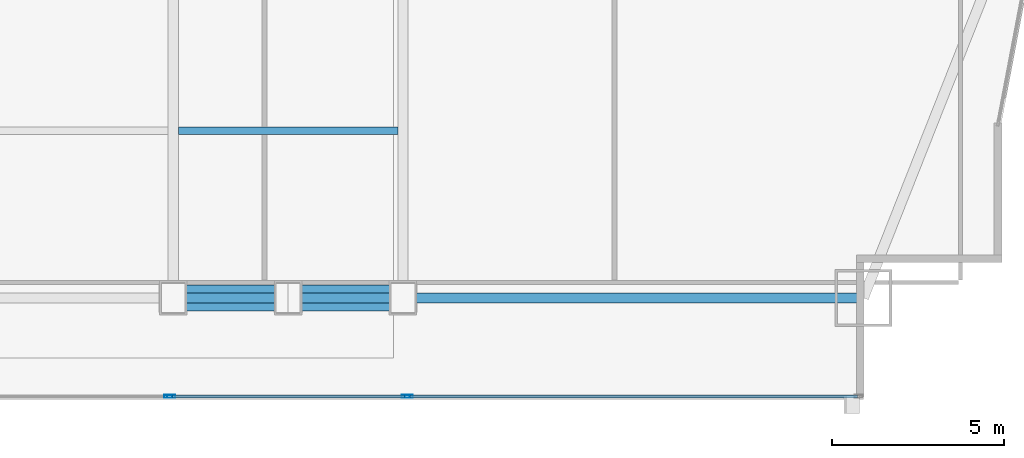
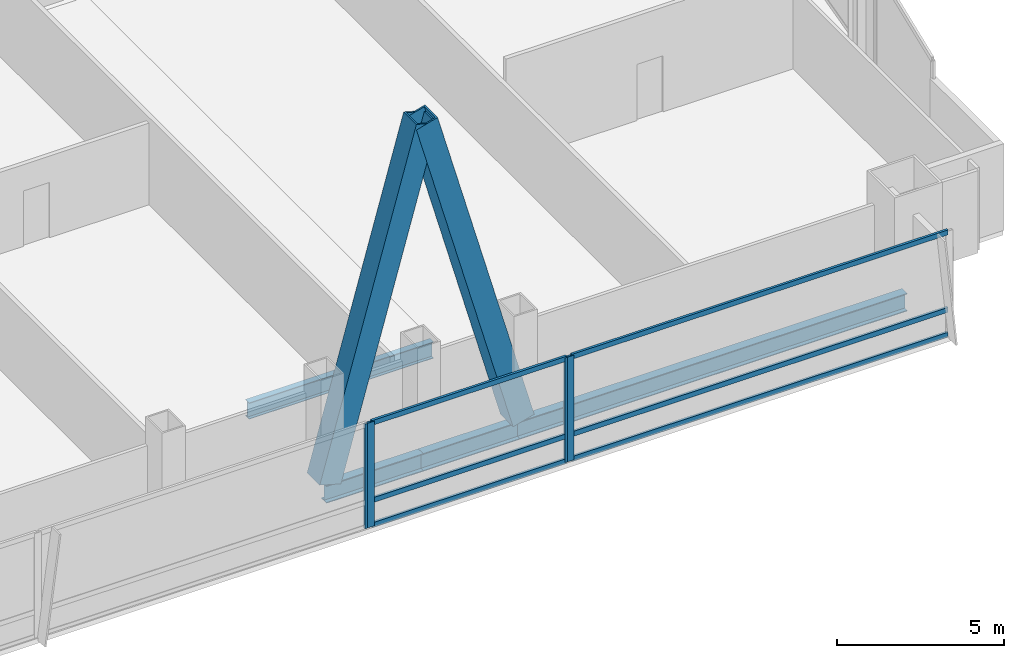
# One storey, part 14 of 37: 12 members, 4 beams, 3 elements without a shape of their own.
"""IFC4 building model written with IfcOpenShell, lengths in metres."""

from ifc_helpers import new_model, si_unit, direction, frame, origin, origin_2d, place, context, subcontext, project, spatial, hollow_rectangle, i_section, extrude, material, material_profile, profile_set, type_object, element, aggregate, save


model = new_model("IFC4")

# Units and contexts
model_context = context("Model", 3, precision=1e-05, world=origin(), true_north=direction((0.0, 1.0)))
body_context = subcontext(model_context, "Body", "Model", "MODEL_VIEW")
ifc_project = project(units=[si_unit("LENGTHUNIT", "METRE"), si_unit("AREAUNIT", "SQUARE_METRE"), si_unit("VOLUMEUNIT", "CUBIC_METRE"), si_unit("PLANEANGLEUNIT", "RADIAN"), si_unit("MASSUNIT", "GRAM", prefix="KILO")], contexts=[model_context])

# Site, building, storey
site_placement = place(None, origin())
site = spatial("IfcSite", under=ifc_project, at=site_placement, CompositionType="ELEMENT")
building_placement = place(site_placement, origin())
building = spatial("IfcBuilding", under=site, at=building_placement, Name="Khoronbel Lancet Exchange", CompositionType="ELEMENT")
storey_placement = place(building_placement, frame((0.0, 0.0, 61.800048828125)))
storey = spatial("IfcBuildingStorey", under=building, at=storey_placement, Name="L14", CompositionType="ELEMENT", Elevation=61.800048828125)

# Beams
ifc_material_1 = material(Name="Steel S355", Category="steel")
ifc_material_profile_1 = material_profile(ifc_material_1, i_section(OverallWidth=0.219970703125, OverallDepth=0.60009765625, WebThickness=0.011962890625, FlangeThickness=0.01904296875, at=origin_2d()), Name="IPE 600")
ifc_profile_set_1 = profile_set([ifc_material_profile_1], Name="Steel S355")
beam_type_1 = type_object("IfcBeamType", Name="BM-BJ1", PredefinedType="JOIST", material=ifc_profile_set_1)
beam_1_placement = place(storey_placement, frame((48.14990234375, 15.0, -0.47998046875), z_axis=(1.0, 0.0, 0.0), x_axis=(0.0, 1.0, 0.0)))
element("IfcBeam", 1, at=beam_1_placement, inside=storey, type_object=beam_type_1, Name="Level L14 secondary composite joist J05", PredefinedType="JOIST", context=body_context, shape_type="SweptSolid", body=[
    extrude(i_section(OverallWidth=0.219970703125, OverallDepth=0.60009765625, WebThickness=0.011962890625, FlangeThickness=0.01904296875, at=origin_2d()), origin(), (0.0, 0.0, 1.0), 6.375),
])
ifc_material_profile_2 = material_profile(ifc_material_1, i_section(OverallWidth=0.300048828125, OverallDepth=0.64990234375, WebThickness=0.01611328125, FlangeThickness=0.031005859375, at=origin_2d()), Name="HEB 650")
ifc_profile_set_2 = profile_set([ifc_material_profile_2], Name="Steel S355")
beam_type_2 = type_object("IfcBeamType", Name="BM-BSP1", PredefinedType="SPANDREL", material=ifc_profile_set_2)
beam_2_placement = place(storey_placement, frame((48.0, 10.14990234375, -0.505126953125), z_axis=(1.0, 0.0, 0.0), x_axis=(0.0, 1.0, 0.0)))
element("IfcBeam", 2, at=beam_2_placement, inside=storey, type_object=beam_type_2, Name="Level L14 perimeter spandrel beam SP07", PredefinedType="SPANDREL", context=body_context, shape_type="SweptSolid", body=[
    extrude(i_section(OverallWidth=0.300048828125, OverallDepth=0.64990234375, WebThickness=0.01611328125, FlangeThickness=0.031005859375, at=origin_2d()), origin(), (0.0, 0.0, 1.0), 3.33740234375),
])
beam_3_placement = place(storey_placement, frame((51.33740234375, 10.14990234375, -0.505126953125), z_axis=(1.0, 0.0, 0.0), x_axis=(0.0, 1.0, 0.0)))
element("IfcBeam", 3, at=beam_3_placement, inside=storey, type_object=beam_type_2, Name="Level L14 perimeter spandrel beam SP08", PredefinedType="SPANDREL", context=body_context, shape_type="SweptSolid", body=[
    extrude(i_section(OverallWidth=0.300048828125, OverallDepth=0.64990234375, WebThickness=0.01611328125, FlangeThickness=0.031005859375, at=origin_2d()), origin(), (0.0, 0.0, 1.0), 3.337646484375),
])
beam_4_placement = place(storey_placement, frame((54.675048828125, 10.14990234375, -0.505126953125), z_axis=(1.0, 0.0, 0.0), x_axis=(0.0, 1.0, 0.0)))
element("IfcBeam", 4, at=beam_4_placement, inside=storey, type_object=beam_type_2, Name="Level L14 perimeter spandrel beam SP09", PredefinedType="SPANDREL", context=body_context, shape_type="SweptSolid", body=[
    extrude(i_section(OverallWidth=0.300048828125, OverallDepth=0.64990234375, WebThickness=0.01611328125, FlangeThickness=0.031005859375, at=origin_2d()), origin(), (0.0, 0.0, 1.0), 13.375),
])

# Curtain wall, member
ifc_material_2 = material(Name="Low-E Solar Control Insulating Glass", Category="glass")
curtain_wall_type = type_object("IfcCurtainWallType", Name="CW-1", PredefinedType="NOTDEFINED", material=ifc_material_2)
curtain_wall_1_placement = place(storey_placement, origin())
curtain_wall_1 = element("IfcCurtainWall", 5, at=curtain_wall_1_placement, inside=storey, type_object=curtain_wall_type, Name="Unitised curtain wall CW-L14-SCV", PredefinedType="NOTDEFINED")
ifc_material_3 = material(Name="Bronze-Anodised Aluminium 6063-T6", Category="aluminium")
ifc_material_profile_3 = material_profile(ifc_material_3, hollow_rectangle(XDim=0.0849609375, YDim=0.239990234375, WallThickness=0.006103515625, at=origin_2d()), Name="ALU MULLION 85x240")
ifc_profile_set_3 = profile_set([ifc_material_profile_3], Name="Bronze-Anodised Aluminium 6063-T6")
member_type_1 = type_object("IfcMemberType", Name="MEM-CWM1", PredefinedType="MULLION", material=ifc_profile_set_3)
member_1_placement = place(storey_placement, frame((47.857421875, 7.2900390625, 0.0), z_axis=(0.0, 0.0, 1.0), x_axis=(0.0, 1.0, 0.0)))
member_1 = element("IfcMember", 6, at=member_1_placement, type_object=member_type_1, Name="CW1 mullion 3", PredefinedType="MULLION", context=body_context, shape_type="SweptSolid", body=[
    extrude(hollow_rectangle(XDim=0.0849609375, YDim=0.239990234375, WallThickness=0.006103515625, at=origin_2d()), origin(), (0.0, 0.0, 1.0), 3.820068359375),
])
aggregate(curtain_wall_1, [member_1])

# Curtain wall, members
curtain_wall_2_placement = place(storey_placement, origin())
curtain_wall_2 = element("IfcCurtainWall", 7, at=curtain_wall_2_placement, inside=storey, type_object=curtain_wall_type, Name="Unitised curtain wall CW-L14-SEB", PredefinedType="NOTDEFINED")
member_2_placement = place(storey_placement, frame((47.9423828125, 7.2900390625, 0.0), z_axis=(0.0, 0.0, 1.0), x_axis=(0.0, 1.0, 0.0)))
member_2 = element("IfcMember", 8, at=member_2_placement, type_object=member_type_1, Name="CW1 mullion 1", PredefinedType="MULLION", context=body_context, shape_type="SweptSolid", body=[
    extrude(hollow_rectangle(XDim=0.0849609375, YDim=0.239990234375, WallThickness=0.006103515625, at=origin_2d()), origin(), (0.0, 0.0, 1.0), 3.820068359375),
])
member_3_placement = place(storey_placement, frame((54.757568359375, 7.2900390625, 0.0), z_axis=(0.0, 0.0, 1.0), x_axis=(0.0, 1.0, 0.0)))
member_3 = element("IfcMember", 9, at=member_3_placement, type_object=member_type_1, Name="CW1 mullion 2", PredefinedType="MULLION", context=body_context, shape_type="SweptSolid", body=[
    extrude(hollow_rectangle(XDim=0.0849609375, YDim=0.239990234375, WallThickness=0.006103515625, at=origin_2d()), origin(), (0.0, 0.0, 1.0), 3.820068359375),
])

# Curtain wall, member
curtain_wall_3_placement = place(storey_placement, origin())
curtain_wall_3 = element("IfcCurtainWall", 10, at=curtain_wall_3_placement, inside=storey, type_object=curtain_wall_type, Name="Unitised curtain wall CW-L14-SEV", PredefinedType="NOTDEFINED")
member_4_placement = place(storey_placement, frame((54.842529296875, 7.2900390625, 0.0), z_axis=(0.0, 0.0, 1.0), x_axis=(0.0, 1.0, 0.0)))
member_4 = element("IfcMember", 11, at=member_4_placement, type_object=member_type_1, Name="CW1 mullion 1", PredefinedType="MULLION", context=body_context, shape_type="SweptSolid", body=[
    extrude(hollow_rectangle(XDim=0.0849609375, YDim=0.239990234375, WallThickness=0.006103515625, at=origin_2d()), origin(), (0.0, 0.0, 1.0), 3.820068359375),
])

# Member
ifc_material_profile_4 = material_profile(ifc_material_3, hollow_rectangle(XDim=0.0849609375, YDim=0.179931640625, WallThickness=0.0048828125, at=origin_2d()), Name="ALU TRANSOM 85x180")
ifc_profile_set_4 = profile_set([ifc_material_profile_4], Name="Bronze-Anodised Aluminium 6063-T6")
member_type_2 = type_object("IfcMemberType", Name="MEM-CWT1", PredefinedType="USERDEFINED", material=ifc_profile_set_4)
member_5_placement = place(storey_placement, frame((47.985107421875, 7.2900390625, 0.04248046875), z_axis=(1.0, 0.0, 0.0), x_axis=(0.0, 1.0, 0.0)))
member_5 = element("IfcMember", 12, at=member_5_placement, type_object=member_type_2, Name="CW1 transom 1.1", ObjectType="TRANSOM", PredefinedType="USERDEFINED", context=body_context, shape_type="SweptSolid", body=[
    extrude(hollow_rectangle(XDim=0.0849609375, YDim=0.179931640625, WallThickness=0.0048828125, at=origin_2d()), origin(), (0.0, 0.0, 1.0), 6.72998046875),
])

member_6_placement = place(storey_placement, frame((47.985107421875, 7.2900390625, 0.949951171875), z_axis=(1.0, 0.0, 0.0), x_axis=(0.0, 1.0, 0.0)))
member_6 = element("IfcMember", 13, at=member_6_placement, type_object=member_type_2, Name="CW1 transom 1.2", ObjectType="TRANSOM", PredefinedType="USERDEFINED", context=body_context, shape_type="SweptSolid", body=[
    extrude(hollow_rectangle(XDim=0.0849609375, YDim=0.179931640625, WallThickness=0.0048828125, at=origin_2d()), origin(), (0.0, 0.0, 1.0), 6.72998046875),
])

member_7_placement = place(storey_placement, frame((47.985107421875, 7.2900390625, 3.77734375), z_axis=(1.0, 0.0, 0.0), x_axis=(0.0, 1.0, 0.0)))
member_7 = element("IfcMember", 14, at=member_7_placement, type_object=member_type_2, Name="CW1 transom 1.3", ObjectType="TRANSOM", PredefinedType="USERDEFINED", context=body_context, shape_type="SweptSolid", body=[
    extrude(hollow_rectangle(XDim=0.0849609375, YDim=0.179931640625, WallThickness=0.0048828125, at=origin_2d()), origin(), (0.0, 0.0, 1.0), 6.72998046875),
])

aggregate(curtain_wall_2, [member_2, member_3, member_5, member_6, member_7])

member_8_placement = place(storey_placement, frame((54.885009765625, 7.2900390625, 0.04248046875), z_axis=(1.0, 0.0, 0.0), x_axis=(0.0, 1.0, 0.0)))
member_8 = element("IfcMember", 15, at=member_8_placement, type_object=member_type_2, Name="CW1 transom 1.1", ObjectType="TRANSOM", PredefinedType="USERDEFINED", context=body_context, shape_type="SweptSolid", body=[
    extrude(hollow_rectangle(XDim=0.0849609375, YDim=0.179931640625, WallThickness=0.0048828125, at=origin_2d()), origin(), (0.0, 0.0, 1.0), 12.989990234375),
])

member_9_placement = place(storey_placement, frame((54.885009765625, 7.2900390625, 0.949951171875), z_axis=(1.0, 0.0, 0.0), x_axis=(0.0, 1.0, 0.0)))
member_9 = element("IfcMember", 16, at=member_9_placement, type_object=member_type_2, Name="CW1 transom 1.2", ObjectType="TRANSOM", PredefinedType="USERDEFINED", context=body_context, shape_type="SweptSolid", body=[
    extrude(hollow_rectangle(XDim=0.0849609375, YDim=0.179931640625, WallThickness=0.0048828125, at=origin_2d()), origin(), (0.0, 0.0, 1.0), 12.989990234375),
])

member_10_placement = place(storey_placement, frame((54.885009765625, 7.2900390625, 3.77734375), z_axis=(1.0, 0.0, 0.0), x_axis=(0.0, 1.0, 0.0)))
member_10 = element("IfcMember", 17, at=member_10_placement, type_object=member_type_2, Name="CW1 transom 1.3", ObjectType="TRANSOM", PredefinedType="USERDEFINED", context=body_context, shape_type="SweptSolid", body=[
    extrude(hollow_rectangle(XDim=0.0849609375, YDim=0.179931640625, WallThickness=0.0048828125, at=origin_2d()), origin(), (0.0, 0.0, 1.0), 12.989990234375),
])

aggregate(curtain_wall_3, [member_4, member_8, member_9, member_10])

# Members
ifc_material_4 = material(Name="Steel S460", Category="steel")
ifc_material_profile_5 = material_profile(ifc_material_4, hollow_rectangle(XDim=0.760009765625, YDim=0.760009765625, WallThickness=0.054931640625, at=origin_2d()), Name="BOX 760x760x55")
ifc_profile_set_5 = profile_set([ifc_material_profile_5], Name="Steel S460")
member_type_3 = type_object("IfcMemberType", Name="MEM-MB1", PredefinedType="BRACE", material=ifc_profile_set_5)
for number, where, z_axis, x_axis, name in (
    (18, (48.0, 10.14990234375, 0.0), (0.267947134133, 0.0, 0.963433616452), (0.0, 1.0, 0.0), "Perimeter lancet brace tier 4 S-E-L"),
    (19, (54.675048828125, 10.14990234375, 0.0), (-0.267965327822, 0.0, 0.963428556295), (0.0, -1.0, 0.0), "Perimeter lancet brace tier 4 S-E-R"),
):
    element("IfcMember", number, at=place(storey_placement, frame(where, z_axis=z_axis, x_axis=x_axis)), inside=storey, type_object=member_type_3, Name=name, PredefinedType="BRACE", context=body_context, shape_type="SweptSolid", body=[
        extrude(hollow_rectangle(XDim=0.760009765625, YDim=0.760009765625, WallThickness=0.054931640625, at=origin_2d()), origin(), (0.0, 0.0, 1.0), 12.45556640625),
    ])

save(model, "model.ifc")
